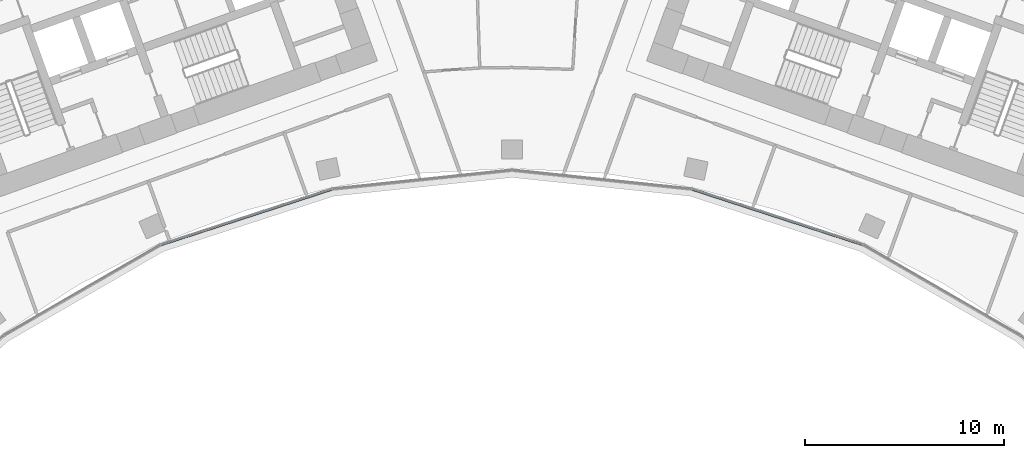
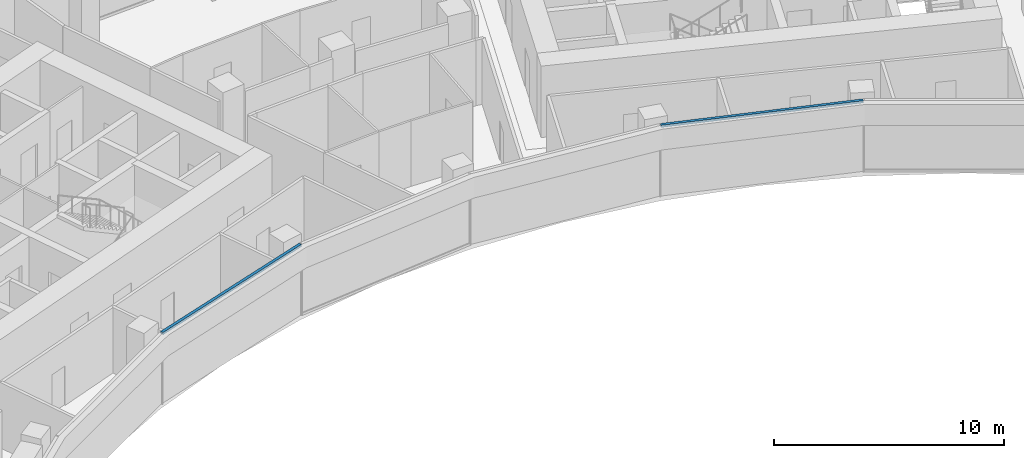
# One storey, part 4 of 20: 2 members, 1 element without a shape of its own.
"""IFC4 building model written with IfcOpenShell, lengths in metres."""

from ifc_helpers import new_model, si_unit, direction, frame, origin, origin_2d, place, context, subcontext, project, spatial, rectangle, extrude, material, layer, layer_set, material_profile, profile_set, type_object, element, aggregate, save


model = new_model("IFC4")

# Units and contexts
model_context = context("Model", 3, precision=1e-05, world=origin(), true_north=direction((0.0, 1.0)))
body_context = subcontext(model_context, "Body", "Model", "MODEL_VIEW")
ifc_project = project(units=[si_unit("LENGTHUNIT", "METRE"), si_unit("AREAUNIT", "SQUARE_METRE"), si_unit("VOLUMEUNIT", "CUBIC_METRE"), si_unit("PLANEANGLEUNIT", "RADIAN"), si_unit("MASSUNIT", "GRAM", prefix="KILO")], contexts=[model_context])

# Site, building, storey
site_placement = place(None, origin())
site = spatial("IfcSite", under=ifc_project, at=site_placement, CompositionType="ELEMENT")
building_placement = place(site_placement, origin())
building = spatial("IfcBuilding", under=site, at=building_placement, Name="Stone Belt Terrace Tower", CompositionType="ELEMENT")
storey_placement = place(building_placement, frame((0.0, 0.0, 212.39990234375)))
storey = spatial("IfcBuildingStorey", under=building, at=storey_placement, Name="L51", CompositionType="ELEMENT", Elevation=212.39990234375)

# Curtain wall, members
ifc_material = material(Name="Aluminium 6063-T6 anodised frame", Category="aluminium")
ifc_layer = layer(ifc_material, 0.14990234375)
ifc_layer_set = layer_set([ifc_layer], Name="CW-B unitised concave-face curtain wall")
curtain_wall_type = type_object("IfcCurtainWallType", Name="CW-B unitised concave-face curtain wall", PredefinedType="NOTDEFINED", material=ifc_layer_set)
curtain_wall_placement = place(storey_placement, origin())
curtain_wall = element("IfcCurtainWall", 1, at=curtain_wall_placement, inside=storey, type_object=curtain_wall_type, Name="CW-B concave face L51", PredefinedType="NOTDEFINED")
ifc_material_profile = material_profile(ifc_material, rectangle(XDim=0.14990234375, YDim=0.1201171875, at=origin_2d()), Name="Aluminium 6063-T6 150x120")
ifc_profile_set = profile_set([ifc_material_profile], Name="Aluminium 6063-T6 anodised frame")
member_type = type_object("IfcMemberType", Name="CW-B transom 120 x 150", PredefinedType="USERDEFINED", material=ifc_profile_set)
member_1_placement = place(storey_placement, frame((-17.63134765625, 39.680419921875, 3.739990234375), z_axis=(0.951055963285, 0.309018696359, 0.0), x_axis=(-0.309018696359, 0.951055963285, 0.0)))
member_1 = element("IfcMember", 2, at=member_1_placement, type_object=member_type, Name="CW-B transom 3.1", ObjectType="TRANSOM", PredefinedType="USERDEFINED", context=body_context, shape_type="SweptSolid", body=[
    extrude(rectangle(XDim=0.14990234375, YDim=0.1201171875, at=origin_2d()), origin(), (0.0, 0.0, 1.0), 9.012939453125),
])
member_2_placement = place(storey_placement, frame((9.0595703125, 42.465576171875, 3.739990234375), z_axis=(0.951055963285, -0.309018696359, 0.0), x_axis=(0.309018696359, 0.951055963285, 0.0)))
member_2 = element("IfcMember", 3, at=member_2_placement, type_object=member_type, Name="CW-B transom 6.1", ObjectType="TRANSOM", PredefinedType="USERDEFINED", context=body_context, shape_type="SweptSolid", body=[
    extrude(rectangle(XDim=0.14990234375, YDim=0.1201171875, at=origin_2d()), origin(), (0.0, 0.0, 1.0), 9.012939453125),
])
aggregate(curtain_wall, [member_1, member_2])

save(model, "model.ifc")
